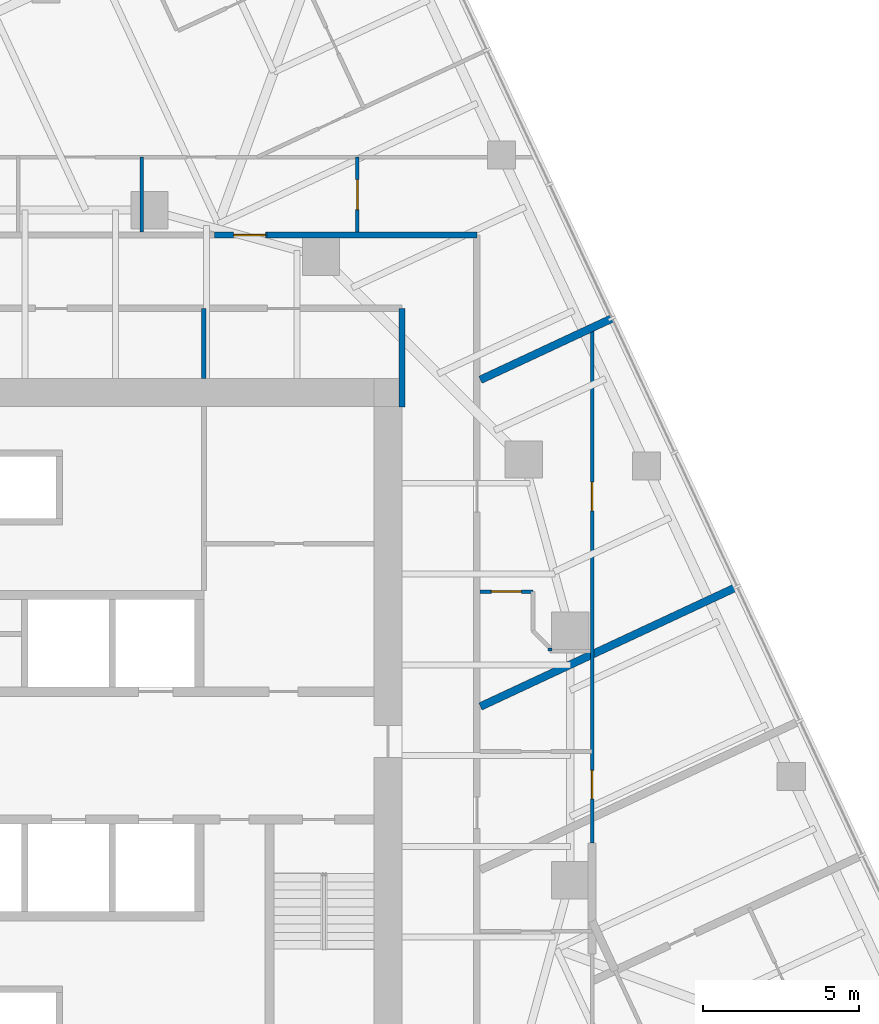
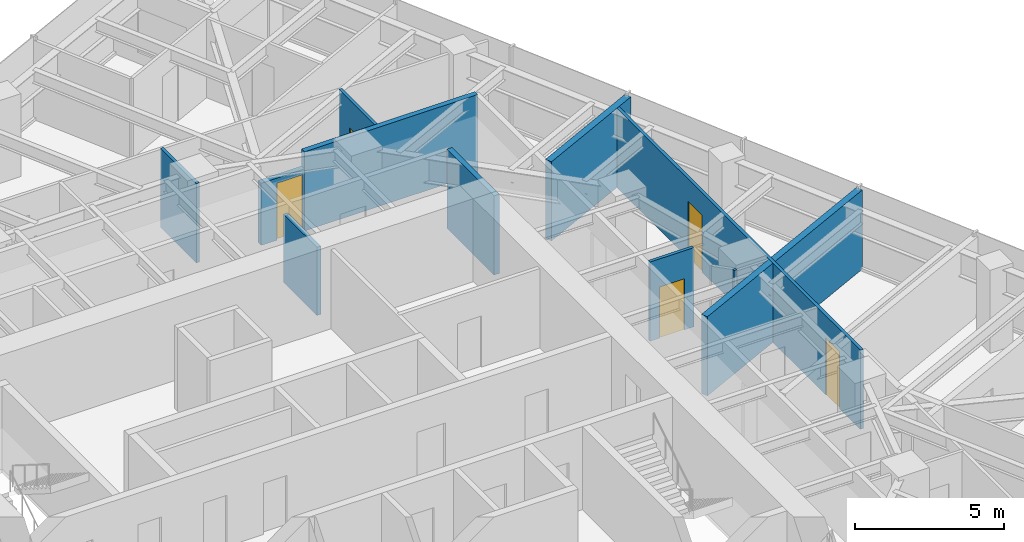
# One storey, part 11 of 13: 11 walls, 5 doors, 5 openings.
"""IFC4 building model written with IfcOpenShell, lengths in metres."""

from ifc_helpers import new_model, si_unit, direction, frame, frame_2d, origin, place, context, subcontext, project, spatial, rectangle, extrude, material, layer, layer_set, type_object, element, fill, save


model = new_model("IFC4")

# Units and contexts
model_context = context("Model", 3, precision=1e-05, world=origin(), true_north=direction((0.0, 1.0)))
body_context = subcontext(model_context, "Body", "Model", "MODEL_VIEW")
ifc_project = project(units=[si_unit("LENGTHUNIT", "METRE"), si_unit("AREAUNIT", "SQUARE_METRE"), si_unit("VOLUMEUNIT", "CUBIC_METRE"), si_unit("PLANEANGLEUNIT", "RADIAN"), si_unit("MASSUNIT", "GRAM", prefix="KILO")], contexts=[model_context])

# Site, building, storey
site_placement = place(None, origin())
site = spatial("IfcSite", under=ifc_project, at=site_placement, CompositionType="ELEMENT")
building_placement = place(site_placement, origin())
building = spatial("IfcBuilding", under=site, at=building_placement, Name="Torsade Residences", CompositionType="ELEMENT")
storey_placement = place(building_placement, frame((0.0, 0.0, 196.39990234375)))
storey = spatial("IfcBuildingStorey", under=building, at=storey_placement, Name="L54", CompositionType="ELEMENT", Elevation=196.39990234375)

# Wall
ifc_material_1 = material(Name="Plasterboard on steel stud", Category="steel")
ifc_layer_1 = layer(ifc_material_1, 0.199951171875)
ifc_layer_set_1 = layer_set([ifc_layer_1], Name="Plasterboard on steel stud")
wall_type_1 = type_object("IfcWallType", Name="CORRIDOR WALL 200", PredefinedType="PARTITIONING", material=ifc_layer_set_1)
wall_1_placement = place(storey_placement, frame((54.5, 46.699951171875, 0.0), z_axis=(0.0, 0.0, 1.0), x_axis=(-1.0, 0.0, 0.0)))
element("IfcWall", 1, at=wall_1_placement, inside=storey, type_object=wall_type_1, Name="Corridor wall L54", PredefinedType="PARTITIONING", context=body_context, shape_type="SweptSolid", body=[
    extrude(rectangle(XDim=6.724853515625, YDim=0.199951171875, at=frame_2d((3.3623046875, 0.0))), origin(), (0.0, 0.0, 1.0), 3.25),
])

# Wall, opening, door
wall_2_placement = place(storey_placement, frame((47.775146484375, 46.699951171875, 0.0), z_axis=(0.0, 0.0, 1.0), x_axis=(-1.0, 0.0, 0.0)))
wall_2 = element("IfcWall", 2, at=wall_2_placement, inside=storey, type_object=wall_type_1, Name="Corridor wall L54", PredefinedType="PARTITIONING", context=body_context, shape_type="SweptSolid", body=[
    extrude(rectangle(XDim=1.68359375, YDim=0.199951171875, at=frame_2d((0.841796875, 0.0))), origin(), (0.0, 0.0, 1.0), 2.550048828125),
])
opening_1_placement = place(wall_2_placement, frame((0.058349609375, 0.0, 0.0)))
opening_1 = element("IfcOpeningElement", 3, at=opening_1_placement, cuts=wall_2, Name="Opening D01", PredefinedType="OPENING", context=body_context, shape_type="SweptSolid", body=[
    extrude(rectangle(XDim=1.02001953125, YDim=2.340087890625, at=frame_2d((0.510009765625, 1.169921875))), frame((0.0, 0.10986328125, 0.0), z_axis=(0.0, -1.0, 0.0), x_axis=(1.0, 0.0, 0.0)), (0.0, 0.0, 1.0), 0.219970703125),
])
ifc_material_2 = material(Name="Solid-core timber fire door", Category="wood")
door_type_1 = type_object("IfcDoorType", Name="APARTMENT ENTRY DOOR 1020x2340", OperationType="NOTDEFINED", PredefinedType="DOOR", material=ifc_material_2)
door_1_placement = place(opening_1_placement, origin())
door_1 = element("IfcDoor", 4, at=door_1_placement, inside=storey, type_object=door_type_1, Name="Door Residential corridor to Kitchen and dining", OperationType="SINGLE_SWING_LEFT", OverallHeight=2.340087890625, OverallWidth=1.02001953125, PredefinedType="DOOR", context=body_context, shape_type="SweptSolid", body=[
    extrude(rectangle(XDim=1.02001953125, YDim=2.340087890625, at=frame_2d((0.510009765625, 1.169921875))), frame((0.0, 0.02490234375, 0.0), z_axis=(0.0, -1.0, 0.0), x_axis=(1.0, 0.0, 0.0)), (0.0, 0.0, 1.0), 0.050048828125),
])
fill(opening_1, door_1)

# Wall
wall_3_placement = place(storey_placement, frame((52.10009765625, 41.179931640625, 0.0), z_axis=(0.0, 0.0, 1.0), x_axis=(0.0, 1.0, 0.0)))
element("IfcWall", 5, at=wall_3_placement, inside=storey, type_object=wall_type_1, Name="Corridor wall L54", PredefinedType="PARTITIONING", context=body_context, shape_type="SweptSolid", body=[
    extrude(rectangle(XDim=3.170166015625, YDim=0.199951171875, at=frame_2d((1.5849609375, 0.0))), origin(), (0.0, 0.0, 1.0), 3.25),
])

# Wall, openings, doors
ifc_material_3 = material(Name="Plasterboard on steel stud", Category="steel")
ifc_layer_2 = layer(ifc_material_3, 0.1201171875)
ifc_layer_set_2 = layer_set([ifc_layer_2], Name="Plasterboard on steel stud")
wall_type_2 = type_object("IfcWallType", Name="PARTITION 120", PredefinedType="PARTITIONING", material=ifc_layer_set_2)
wall_4_placement = place(storey_placement, frame((58.199951171875, 43.727783203125, 0.0), z_axis=(0.0, 0.0, 1.0), x_axis=(0.0, -1.0, 0.0)))
wall_4 = element("IfcWall", 6, at=wall_4_placement, inside=storey, type_object=wall_type_2, Name="Partition L54", PredefinedType="PARTITIONING", context=body_context, shape_type="SweptSolid", body=[
    extrude(rectangle(XDim=16.52783203125, YDim=0.1201171875, at=frame_2d((8.263916015625, 0.0))), origin(), (0.0, 0.0, 1.0), 3.25),
])
opening_2_placement = place(wall_4_placement, frame((4.953857421875, 0.0, 0.0)))
opening_2 = element("IfcOpeningElement", 7, at=opening_2_placement, cuts=wall_4, Name="Opening D02", PredefinedType="OPENING", context=body_context, shape_type="SweptSolid", body=[
    extrude(rectangle(XDim=0.919921875, YDim=2.340087890625, at=frame_2d((0.4599609375, 1.169921875))), frame((0.0, 0.070068359375, 0.0), z_axis=(0.0, -1.0, 0.0), x_axis=(1.0, 0.0, 0.0)), (0.0, 0.0, 1.0), 0.14013671875),
])
opening_3_placement = place(wall_4_placement, frame((14.199951171875, 0.0, 0.0)))
opening_3 = element("IfcOpeningElement", 8, at=opening_3_placement, cuts=wall_4, Name="Opening D02", PredefinedType="OPENING", context=body_context, shape_type="SweptSolid", body=[
    extrude(rectangle(XDim=0.919921875, YDim=2.340087890625, at=frame_2d((0.4599609375, 1.169921875))), frame((0.0, 0.070068359375, 0.0), z_axis=(0.0, -1.0, 0.0), x_axis=(1.0, 0.0, 0.0)), (0.0, 0.0, 1.0), 0.14013671875),
])
ifc_material_4 = material(Name="Hollow-core timber door", Category="wood")
door_type_2 = type_object("IfcDoorType", Name="INTERNAL DOOR 920x2340", OperationType="NOTDEFINED", PredefinedType="DOOR", material=ifc_material_4)
door_2_placement = place(opening_2_placement, origin())
door_2 = element("IfcDoor", 9, at=door_2_placement, inside=storey, type_object=door_type_2, Name="Door Kitchen and dining to Studio living and sleeping", OperationType="SINGLE_SWING_RIGHT", OverallHeight=2.340087890625, OverallWidth=0.919921875, PredefinedType="DOOR", context=body_context, shape_type="SweptSolid", body=[
    extrude(rectangle(XDim=0.919921875, YDim=2.340087890625, at=frame_2d((0.4599609375, 1.169921875))), frame((0.0, 0.02490234375, 0.0), z_axis=(0.0, -1.0, 0.0), x_axis=(1.0, 0.0, 0.0)), (0.0, 0.0, 1.0), 0.050048828125),
])
fill(opening_2, door_2)
door_3_placement = place(opening_3_placement, origin())
door_3 = element("IfcDoor", 10, at=door_3_placement, inside=storey, type_object=door_type_2, Name="Door Kitchen and dining to Studio living and sleeping", OperationType="SINGLE_SWING_RIGHT", OverallHeight=2.340087890625, OverallWidth=0.919921875, PredefinedType="DOOR", context=body_context, shape_type="SweptSolid", body=[
    extrude(rectangle(XDim=0.919921875, YDim=2.340087890625, at=frame_2d((0.4599609375, 1.169921875))), frame((0.0, 0.02490234375, 0.0), z_axis=(0.0, -1.0, 0.0), x_axis=(1.0, 0.0, 0.0)), (0.0, 0.0, 1.0), 0.050048828125),
])
fill(opening_3, door_3)

# Wall, opening, door
wall_5_placement = place(storey_placement, frame((56.300048828125, 35.259765625, 0.0), z_axis=(0.0, 0.0, 1.0), x_axis=(-1.0, 0.0, 0.0)))
wall_5 = element("IfcWall", 11, at=wall_5_placement, inside=storey, type_object=wall_type_2, Name="Partition L54", PredefinedType="PARTITIONING", context=body_context, shape_type="SweptSolid", body=[
    extrude(rectangle(XDim=1.699951171875, YDim=0.1201171875, at=frame_2d((0.85009765625, 0.0))), origin(), (0.0, 0.0, 1.0), 3.25),
])
opening_4_placement = place(wall_5_placement, frame((0.3701171875, 0.0, 0.0)))
opening_4 = element("IfcOpeningElement", 12, at=opening_4_placement, cuts=wall_5, Name="Opening D05", PredefinedType="OPENING", context=body_context, shape_type="SweptSolid", body=[
    extrude(rectangle(XDim=0.9599609375, YDim=2.10009765625, at=frame_2d((0.47998046875, 1.050048828125))), frame((0.0, 0.070068359375, 0.0), z_axis=(0.0, -1.0, 0.0), x_axis=(1.0, 0.0, 0.0)), (0.0, 0.0, 1.0), 0.14013671875),
])
ifc_material_5 = material(Name="Hollow-core timber door in a steel cavity frame", Category="steel")
door_type_3 = type_object("IfcDoorType", Name="BATHROOM CAVITY SLIDING DOOR 960", OperationType="SLIDING_TO_LEFT", PredefinedType="DOOR", material=ifc_material_5)
door_4_placement = place(opening_4_placement, origin())
door_4 = element("IfcDoor", 13, at=door_4_placement, inside=storey, type_object=door_type_3, Name="Door Kitchen and dining to Bathroom", OperationType="SLIDING_TO_LEFT", OverallHeight=2.10009765625, OverallWidth=0.9599609375, PredefinedType="DOOR", context=body_context, shape_type="SweptSolid", body=[
    extrude(rectangle(XDim=0.9599609375, YDim=2.10009765625, at=frame_2d((0.47998046875, 1.050048828125))), frame((0.0, 0.02490234375, 0.0), z_axis=(0.0, -1.0, 0.0), x_axis=(1.0, 0.0, 0.0)), (0.0, 0.0, 1.0), 0.050048828125),
])
fill(opening_4, door_4)

wall_6_placement = place(storey_placement, frame((50.666015625, 46.800048828125, 0.0), z_axis=(0.0, 0.0, 1.0), x_axis=(0.0, 1.0, 0.0)))
wall_6 = element("IfcWall", 14, at=wall_6_placement, inside=storey, type_object=wall_type_2, Name="Partition L54", PredefinedType="PARTITIONING", context=body_context, shape_type="SweptSolid", body=[
    extrude(rectangle(XDim=2.39990234375, YDim=0.1201171875, at=frame_2d((1.199951171875, 0.0))), origin(), (0.0, 0.0, 1.0), 3.25),
])
opening_5_placement = place(wall_6_placement, frame((0.719970703125, 0.0, 0.0)))
opening_5 = element("IfcOpeningElement", 15, at=opening_5_placement, cuts=wall_6, Name="Opening D05", PredefinedType="OPENING", context=body_context, shape_type="SweptSolid", body=[
    extrude(rectangle(XDim=0.9599609375, YDim=2.10009765625, at=frame_2d((0.47998046875, 1.050048828125))), frame((0.0, 0.070068359375, 0.0), z_axis=(0.0, -1.0, 0.0), x_axis=(1.0, 0.0, 0.0)), (0.0, 0.0, 1.0), 0.14013671875),
])
door_5_placement = place(opening_5_placement, origin())
door_5 = element("IfcDoor", 16, at=door_5_placement, inside=storey, type_object=door_type_3, Name="Door Kitchen and dining to Bathroom", OperationType="SLIDING_TO_LEFT", OverallHeight=2.10009765625, OverallWidth=0.9599609375, PredefinedType="DOOR", context=body_context, shape_type="SweptSolid", body=[
    extrude(rectangle(XDim=0.9599609375, YDim=2.10009765625, at=frame_2d((0.47998046875, 1.050048828125))), frame((0.0, 0.02490234375, 0.0), z_axis=(0.0, -1.0, 0.0), x_axis=(1.0, 0.0, 0.0)), (0.0, 0.0, 1.0), 0.050048828125),
])
fill(opening_5, door_5)

# Walls
wall_7_placement = place(storey_placement, frame((43.74755859375, 46.800048828125, 0.0), z_axis=(0.0, 0.0, 1.0), x_axis=(0.0, 1.0, 0.0)))
element("IfcWall", 17, at=wall_7_placement, inside=storey, type_object=wall_type_2, Name="Partition L54", PredefinedType="PARTITIONING", context=body_context, shape_type="SweptSolid", body=[
    extrude(rectangle(XDim=2.39990234375, YDim=0.1201171875, at=frame_2d((1.199951171875, 0.0))), origin(), (0.0, 0.0, 1.0), 3.25),
])
wall_8_placement = place(storey_placement, frame((56.85009765625, 33.35009765625, 0.0), z_axis=(0.0, 0.0, 1.0), x_axis=(0.0, 1.0, 0.0)))
element("IfcWall", 18, at=wall_8_placement, inside=storey, type_object=wall_type_2, Name="Partition L54", PredefinedType="PARTITIONING", context=body_context, shape_type="SweptSolid", body=[
    extrude(rectangle(XDim=0.099853515625, YDim=0.1201171875, at=frame_2d((0.0498046875, 0.0))), origin(), (0.0, 0.0, 1.0), 3.25),
])
ifc_material_6 = material(Name="Masonry-lined stud party wall", Category="masonry")
ifc_layer_3 = layer(ifc_material_6, 0.25)
ifc_layer_set_3 = layer_set([ifc_layer_3], Name="Masonry-lined stud party wall")
wall_type_3 = type_object("IfcWallType", Name="PARTY WALL 250", PredefinedType="PARTITIONING", material=ifc_layer_set_3)
wall_9_placement = place(storey_placement, frame((62.8525390625, 35.415283203125, 0.0), z_axis=(0.0, 0.0, 1.0), x_axis=(-0.90630664327, -0.422620714548, 0.0)))
element("IfcWall", 19, at=wall_9_placement, inside=storey, type_object=wall_type_3, Name="Party wall L54", PredefinedType="PARTITIONING", context=body_context, shape_type="SweptSolid", body=[
    extrude(rectangle(XDim=9.087646484375, YDim=0.25, at=frame_2d((4.5439453125, 0.0))), origin(), (0.0, 0.0, 1.0), 3.25),
])
wall_10_placement = place(storey_placement, frame((58.837646484375, 44.025146484375, 0.0), z_axis=(0.0, 0.0, 1.0), x_axis=(-0.906317010604, -0.422598481173, 0.0)))
element("IfcWall", 20, at=wall_10_placement, inside=storey, type_object=wall_type_3, Name="Party wall L54", PredefinedType="PARTITIONING", context=body_context, shape_type="SweptSolid", body=[
    extrude(rectangle(XDim=4.657470703125, YDim=0.25, at=frame_2d((2.32861328125, 0.0))), origin(), (0.0, 0.0, 1.0), 3.25),
])
ifc_material_7 = material(Name="Reinforced blockwork", Category="masonry")
ifc_layer_4 = layer(ifc_material_7, 0.14990234375)
ifc_layer_set_4 = layer_set([ifc_layer_4], Name="Reinforced blockwork")
wall_type_4 = type_object("IfcWallType", Name="SERVICE ROOM WALL 150", PredefinedType="SOLIDWALL", material=ifc_layer_set_4)
wall_11_placement = place(storey_placement, frame((45.7353515625, 42.10009765625, 0.0), z_axis=(0.0, 0.0, 1.0), x_axis=(0.0, 1.0, 0.0)))
element("IfcWall", 21, at=wall_11_placement, inside=storey, type_object=wall_type_4, Name="Service room wall L54", PredefinedType="SOLIDWALL", context=body_context, shape_type="SweptSolid", body=[
    extrude(rectangle(XDim=2.25, YDim=0.14990234375, at=frame_2d((1.125, 0.0))), origin(), (0.0, 0.0, 1.0), 2.796142578125),
])

save(model, "model.ifc")
